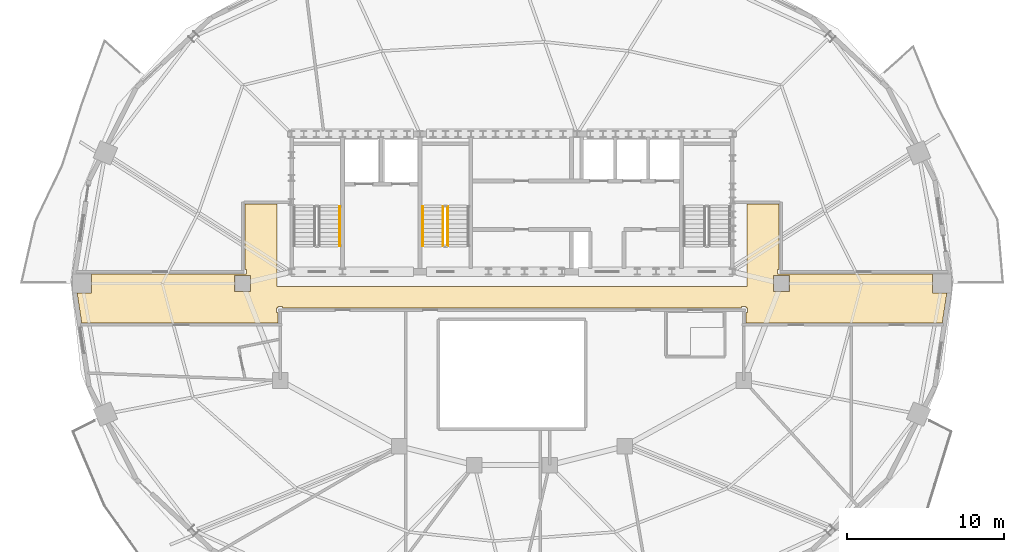
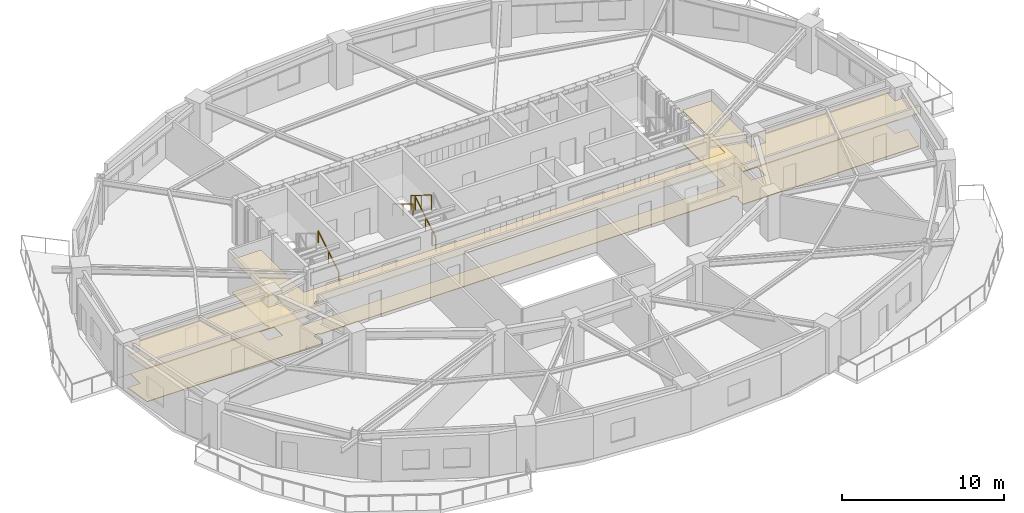
# One storey, part 9 of 11: 4 railings, 2 coverings.
"""IFC4 building model written with IfcOpenShell, lengths in metres."""

from ifc_helpers import new_model, si_unit, direction, frame, origin, origin_2d, place, context, subcontext, project, spatial, polyline, rectangle, outline, extrude, material, layer, layer_set, type_object, element, save


model = new_model("IFC4")

# Units and contexts
model_context = context("Model", 3, precision=1e-05, world=origin(), true_north=direction((0.0, 1.0)))
body_context = subcontext(model_context, "Body", "Model", "MODEL_VIEW")
ifc_project = project(units=[si_unit("LENGTHUNIT", "METRE"), si_unit("AREAUNIT", "SQUARE_METRE"), si_unit("VOLUMEUNIT", "CUBIC_METRE"), si_unit("PLANEANGLEUNIT", "RADIAN"), si_unit("MASSUNIT", "GRAM", prefix="KILO")], contexts=[model_context])

# Site, building, storey
site_placement = place(None, origin())
site = spatial("IfcSite", under=ifc_project, at=site_placement, CompositionType="ELEMENT")
building_placement = place(site_placement, origin())
building = spatial("IfcBuilding", under=site, at=building_placement, Name="Haldorwick Loom Tower", CompositionType="ELEMENT")
storey_placement = place(building_placement, frame((0.0, 0.0, 208.300048828125)))
storey = spatial("IfcBuildingStorey", under=building, at=storey_placement, Name="L56", CompositionType="ELEMENT", Elevation=208.300048828125)

# Coverings
ifc_material_1 = material(Name="Mineral Fibre Acoustic Ceiling Tile")
ifc_layer_1 = layer(ifc_material_1, 0.054931640625, Name="Mineral Fibre Acoustic Ceiling Tile")
ifc_layer_set_1 = layer_set([ifc_layer_1], Name="Mineral Fibre Acoustic Ceiling Tile")
covering_type_1 = type_object("IfcCoveringType", Name="ARC-COV-CEIL2", PredefinedType="CEILING", material=ifc_layer_set_1)
covering_1_placement = place(storey_placement, frame((0.0, 0.0, 2.458984375)))
element("IfcCovering", 1, at=covering_1_placement, inside=storey, type_object=covering_type_1, Name="L56 Acoustic Suspended Ceiling 1", PredefinedType="CEILING", context=body_context, shape_type="SweptSolid", body=[
    extrude(outline(polyline([(8.522216796875, 23.489990234375), (21.06005859375, 23.489990234375), (21.06005859375, 24.159912109375), (20.97998046875, 24.159912109375), (20.97802734375, 24.16015625), (20.97607421875, 24.160400390625), (20.97412109375, 24.160888671875), (20.972412109375, 24.16162109375), (20.970703125, 24.162353515625), (20.968994140625, 24.163330078125), (20.96728515625, 24.16455078125), (20.9658203125, 24.166015625), (20.964599609375, 24.167236328125), (20.96337890625, 24.1689453125), (20.96240234375, 24.170654296875), (20.96142578125, 24.17236328125), (20.9609375, 24.17431640625), (20.96044921875, 24.176025390625), (20.960205078125, 24.177978515625), (20.9599609375, 24.179931640625), (20.9599609375, 24.419921875), (20.960205078125, 24.422119140625), (20.96044921875, 24.423828125), (20.9609375, 24.42578125), (20.96142578125, 24.427734375), (20.96240234375, 24.429443359375), (20.96337890625, 24.43115234375), (20.964599609375, 24.4326171875), (20.9658203125, 24.43408203125), (20.96728515625, 24.435546875), (20.968994140625, 24.4365234375), (20.970703125, 24.4375), (20.972412109375, 24.4384765625), (20.97412109375, 24.439208984375), (20.97607421875, 24.439697265625), (20.97802734375, 24.43994140625), (20.97998046875, 24.43994140625), (21.06005859375, 24.43994140625), (21.06005859375, 24.52001953125), (21.06005859375, 24.52197265625), (21.060302734375, 24.52392578125), (21.060791015625, 24.52587890625), (21.0615234375, 24.527587890625), (21.0625, 24.529296875), (21.0634765625, 24.531005859375), (21.064453125, 24.53271484375), (21.06591796875, 24.5341796875), (21.0673828125, 24.535400390625), (21.06884765625, 24.53662109375), (21.070556640625, 24.53759765625), (21.072265625, 24.53857421875), (21.07421875, 24.5390625), (21.076171875, 24.53955078125), (21.077880859375, 24.539794921875), (21.080078125, 24.5400390625), (21.320068359375, 24.5400390625), (21.322021484375, 24.539794921875), (21.323974609375, 24.53955078125), (21.32568359375, 24.5390625), (21.32763671875, 24.53857421875), (21.329345703125, 24.53759765625), (21.3310546875, 24.53662109375), (21.332763671875, 24.535400390625), (21.333984375, 24.5341796875), (21.33544921875, 24.53271484375), (21.336669921875, 24.531005859375), (21.337646484375, 24.529296875), (21.33837890625, 24.527587890625), (21.339111328125, 24.52587890625), (21.339599609375, 24.52392578125), (21.33984375, 24.52197265625), (21.340087890625, 24.52001953125), (21.340087890625, 24.43994140625), (50.659912109375, 24.43994140625), (50.659912109375, 24.52001953125), (50.66015625, 24.52197265625), (50.660400390625, 24.52392578125), (50.660888671875, 24.52587890625), (50.66162109375, 24.527587890625), (50.662353515625, 24.529296875), (50.663330078125, 24.531005859375), (50.66455078125, 24.53271484375), (50.666015625, 24.5341796875), (50.667236328125, 24.535400390625), (50.6689453125, 24.53662109375), (50.670654296875, 24.53759765625), (50.67236328125, 24.53857421875), (50.67431640625, 24.5390625), (50.676025390625, 24.53955078125), (50.677978515625, 24.539794921875), (50.679931640625, 24.5400390625), (50.919921875, 24.5400390625), (50.922119140625, 24.539794921875), (50.923828125, 24.53955078125), (50.92578125, 24.5390625), (50.927734375, 24.53857421875), (50.929443359375, 24.53759765625), (50.93115234375, 24.53662109375), (50.9326171875, 24.535400390625), (50.93408203125, 24.5341796875), (50.935546875, 24.53271484375), (50.9365234375, 24.531005859375), (50.9375, 24.529296875), (50.9384765625, 24.527587890625), (50.939208984375, 24.52587890625), (50.939697265625, 24.52392578125), (50.93994140625, 24.52197265625), (50.93994140625, 24.52001953125), (50.93994140625, 24.43994140625), (51.02001953125, 24.43994140625), (51.02197265625, 24.43994140625), (51.02392578125, 24.439697265625), (51.02587890625, 24.439208984375), (51.027587890625, 24.4384765625), (51.029296875, 24.4375), (51.031005859375, 24.4365234375), (51.03271484375, 24.435546875), (51.0341796875, 24.43408203125), (51.035400390625, 24.4326171875), (51.03662109375, 24.43115234375), (51.03759765625, 24.429443359375), (51.03857421875, 24.427734375), (51.0390625, 24.42578125), (51.03955078125, 24.423828125), (51.039794921875, 24.422119140625), (51.0400390625, 24.419921875), (51.0400390625, 24.179931640625), (51.039794921875, 24.177978515625), (51.03955078125, 24.176025390625), (51.0390625, 24.17431640625), (51.03857421875, 24.17236328125), (51.03759765625, 24.170654296875), (51.03662109375, 24.1689453125), (51.035400390625, 24.167236328125), (51.0341796875, 24.166015625), (51.03271484375, 24.16455078125), (51.031005859375, 24.163330078125), (51.029296875, 24.162353515625), (51.027587890625, 24.16162109375), (51.02587890625, 24.160888671875), (51.02392578125, 24.160400390625), (51.02197265625, 24.16015625), (51.02001953125, 24.159912109375), (50.93994140625, 24.159912109375), (50.93994140625, 23.489990234375), (63.477783203125, 23.489990234375), (63.76708984375, 25.39208984375), (62.8583984375, 25.39208984375), (62.8583984375, 26.60791015625), (63.76708984375, 26.60791015625), (63.766845703125, 26.610107421875), (52.97998046875, 26.610107421875), (52.97802734375, 26.610107421875), (52.97607421875, 26.6103515625), (52.97412109375, 26.61083984375), (52.972412109375, 26.611572265625), (52.970703125, 26.6123046875), (52.968994140625, 26.61328125), (52.96728515625, 26.614501953125), (52.9658203125, 26.615966796875), (52.964599609375, 26.6171875), (52.96337890625, 26.618896484375), (52.96240234375, 26.62060546875), (52.96142578125, 26.622314453125), (52.9609375, 26.624267578125), (52.96044921875, 26.626220703125), (52.960205078125, 26.6279296875), (52.9599609375, 26.6298828125), (52.9599609375, 26.8701171875), (52.960205078125, 26.8720703125), (52.96044921875, 26.873779296875), (52.9609375, 26.875732421875), (52.96142578125, 26.877685546875), (52.96240234375, 26.87939453125), (52.96337890625, 26.881103515625), (52.964599609375, 26.8828125), (52.9658203125, 26.884033203125), (52.96728515625, 26.885498046875), (52.968994140625, 26.88671875), (52.970703125, 26.8876953125), (52.972412109375, 26.888427734375), (52.97412109375, 26.88916015625), (52.97607421875, 26.8896484375), (52.97802734375, 26.889892578125), (52.97998046875, 26.889892578125), (53.06005859375, 26.889892578125), (53.06005859375, 31.06005859375), (51.0, 31.06005859375), (51.0, 25.800048828125), (21.0, 25.800048828125), (21.0, 31.06005859375), (18.93994140625, 31.06005859375), (18.93994140625, 26.889892578125), (19.02001953125, 26.889892578125), (19.02197265625, 26.889892578125), (19.02392578125, 26.8896484375), (19.02587890625, 26.88916015625), (19.027587890625, 26.888427734375), (19.029296875, 26.8876953125), (19.031005859375, 26.88671875), (19.03271484375, 26.885498046875), (19.0341796875, 26.884033203125), (19.035400390625, 26.8828125), (19.03662109375, 26.881103515625), (19.03759765625, 26.87939453125), (19.03857421875, 26.877685546875), (19.0390625, 26.875732421875), (19.03955078125, 26.873779296875), (19.039794921875, 26.8720703125), (19.0400390625, 26.8701171875), (19.0400390625, 26.6298828125), (19.039794921875, 26.6279296875), (19.03955078125, 26.626220703125), (19.0390625, 26.624267578125), (19.03857421875, 26.622314453125), (19.03759765625, 26.62060546875), (19.03662109375, 26.618896484375), (19.035400390625, 26.6171875), (19.0341796875, 26.615966796875), (19.03271484375, 26.614501953125), (19.031005859375, 26.61328125), (19.029296875, 26.6123046875), (19.027587890625, 26.611572265625), (19.02587890625, 26.61083984375), (19.02392578125, 26.6103515625), (19.02197265625, 26.610107421875), (19.02001953125, 26.610107421875), (8.233154296875, 26.610107421875), (8.23291015625, 26.60791015625), (9.1416015625, 26.60791015625), (9.1416015625, 25.39208984375), (8.23291015625, 25.39208984375), (8.522216796875, 23.489990234375)]), holes=[polyline([(19.30810546875, 26.508056640625), (19.30810546875, 25.491943359375), (18.2919921875, 25.491943359375), (18.2919921875, 26.508056640625), (19.30810546875, 26.508056640625)]), polyline([(53.7080078125, 26.508056640625), (53.7080078125, 25.491943359375), (52.69189453125, 25.491943359375), (52.69189453125, 26.508056640625), (53.7080078125, 26.508056640625)])]), origin(), (0.0, 0.0, 1.0), 0.054931640625),
])
ifc_material_2 = material(Name="Polished Aggregate Terrazzo Finish")
ifc_layer_2 = layer(ifc_material_2, 0.044921875, Name="Polished Aggregate Terrazzo Finish")
ifc_layer_set_2 = layer_set([ifc_layer_2], Name="Polished Aggregate Terrazzo Finish")
covering_type_2 = type_object("IfcCoveringType", Name="ARC-COV-FLOOR2", PredefinedType="FLOORING", material=ifc_layer_set_2)
covering_2_placement = place(storey_placement, origin())
element("IfcCovering", 2, at=covering_2_placement, inside=storey, type_object=covering_type_2, Name="L56 Floor Finish 1", PredefinedType="FLOORING", context=body_context, shape_type="SweptSolid", body=[
    extrude(outline(polyline([(8.522216796875, 23.489990234375), (21.06005859375, 23.489990234375), (21.06005859375, 24.159912109375), (20.97998046875, 24.159912109375), (20.97802734375, 24.16015625), (20.97607421875, 24.160400390625), (20.97412109375, 24.160888671875), (20.972412109375, 24.16162109375), (20.970703125, 24.162353515625), (20.968994140625, 24.163330078125), (20.96728515625, 24.16455078125), (20.9658203125, 24.166015625), (20.964599609375, 24.167236328125), (20.96337890625, 24.1689453125), (20.96240234375, 24.170654296875), (20.96142578125, 24.17236328125), (20.9609375, 24.17431640625), (20.96044921875, 24.176025390625), (20.960205078125, 24.177978515625), (20.9599609375, 24.179931640625), (20.9599609375, 24.419921875), (20.960205078125, 24.422119140625), (20.96044921875, 24.423828125), (20.9609375, 24.42578125), (20.96142578125, 24.427734375), (20.96240234375, 24.429443359375), (20.96337890625, 24.43115234375), (20.964599609375, 24.4326171875), (20.9658203125, 24.43408203125), (20.96728515625, 24.435546875), (20.968994140625, 24.4365234375), (20.970703125, 24.4375), (20.972412109375, 24.4384765625), (20.97412109375, 24.439208984375), (20.97607421875, 24.439697265625), (20.97802734375, 24.43994140625), (20.97998046875, 24.43994140625), (21.06005859375, 24.43994140625), (21.06005859375, 24.52001953125), (21.06005859375, 24.52197265625), (21.060302734375, 24.52392578125), (21.060791015625, 24.52587890625), (21.0615234375, 24.527587890625), (21.0625, 24.529296875), (21.0634765625, 24.531005859375), (21.064453125, 24.53271484375), (21.06591796875, 24.5341796875), (21.0673828125, 24.535400390625), (21.06884765625, 24.53662109375), (21.070556640625, 24.53759765625), (21.072265625, 24.53857421875), (21.07421875, 24.5390625), (21.076171875, 24.53955078125), (21.077880859375, 24.539794921875), (21.080078125, 24.5400390625), (21.320068359375, 24.5400390625), (21.322021484375, 24.539794921875), (21.323974609375, 24.53955078125), (21.32568359375, 24.5390625), (21.32763671875, 24.53857421875), (21.329345703125, 24.53759765625), (21.3310546875, 24.53662109375), (21.332763671875, 24.535400390625), (21.333984375, 24.5341796875), (21.33544921875, 24.53271484375), (21.336669921875, 24.531005859375), (21.337646484375, 24.529296875), (21.33837890625, 24.527587890625), (21.339111328125, 24.52587890625), (21.339599609375, 24.52392578125), (21.33984375, 24.52197265625), (21.340087890625, 24.52001953125), (21.340087890625, 24.43994140625), (50.659912109375, 24.43994140625), (50.659912109375, 24.52001953125), (50.66015625, 24.52197265625), (50.660400390625, 24.52392578125), (50.660888671875, 24.52587890625), (50.66162109375, 24.527587890625), (50.662353515625, 24.529296875), (50.663330078125, 24.531005859375), (50.66455078125, 24.53271484375), (50.666015625, 24.5341796875), (50.667236328125, 24.535400390625), (50.6689453125, 24.53662109375), (50.670654296875, 24.53759765625), (50.67236328125, 24.53857421875), (50.67431640625, 24.5390625), (50.676025390625, 24.53955078125), (50.677978515625, 24.539794921875), (50.679931640625, 24.5400390625), (50.919921875, 24.5400390625), (50.922119140625, 24.539794921875), (50.923828125, 24.53955078125), (50.92578125, 24.5390625), (50.927734375, 24.53857421875), (50.929443359375, 24.53759765625), (50.93115234375, 24.53662109375), (50.9326171875, 24.535400390625), (50.93408203125, 24.5341796875), (50.935546875, 24.53271484375), (50.9365234375, 24.531005859375), (50.9375, 24.529296875), (50.9384765625, 24.527587890625), (50.939208984375, 24.52587890625), (50.939697265625, 24.52392578125), (50.93994140625, 24.52197265625), (50.93994140625, 24.52001953125), (50.93994140625, 24.43994140625), (51.02001953125, 24.43994140625), (51.02197265625, 24.43994140625), (51.02392578125, 24.439697265625), (51.02587890625, 24.439208984375), (51.027587890625, 24.4384765625), (51.029296875, 24.4375), (51.031005859375, 24.4365234375), (51.03271484375, 24.435546875), (51.0341796875, 24.43408203125), (51.035400390625, 24.4326171875), (51.03662109375, 24.43115234375), (51.03759765625, 24.429443359375), (51.03857421875, 24.427734375), (51.0390625, 24.42578125), (51.03955078125, 24.423828125), (51.039794921875, 24.422119140625), (51.0400390625, 24.419921875), (51.0400390625, 24.179931640625), (51.039794921875, 24.177978515625), (51.03955078125, 24.176025390625), (51.0390625, 24.17431640625), (51.03857421875, 24.17236328125), (51.03759765625, 24.170654296875), (51.03662109375, 24.1689453125), (51.035400390625, 24.167236328125), (51.0341796875, 24.166015625), (51.03271484375, 24.16455078125), (51.031005859375, 24.163330078125), (51.029296875, 24.162353515625), (51.027587890625, 24.16162109375), (51.02587890625, 24.160888671875), (51.02392578125, 24.160400390625), (51.02197265625, 24.16015625), (51.02001953125, 24.159912109375), (50.93994140625, 24.159912109375), (50.93994140625, 23.489990234375), (63.477783203125, 23.489990234375), (63.76708984375, 25.39208984375), (62.8583984375, 25.39208984375), (62.8583984375, 26.60791015625), (63.76708984375, 26.60791015625), (63.766845703125, 26.610107421875), (52.97998046875, 26.610107421875), (52.97802734375, 26.610107421875), (52.97607421875, 26.6103515625), (52.97412109375, 26.61083984375), (52.972412109375, 26.611572265625), (52.970703125, 26.6123046875), (52.968994140625, 26.61328125), (52.96728515625, 26.614501953125), (52.9658203125, 26.615966796875), (52.964599609375, 26.6171875), (52.96337890625, 26.618896484375), (52.96240234375, 26.62060546875), (52.96142578125, 26.622314453125), (52.9609375, 26.624267578125), (52.96044921875, 26.626220703125), (52.960205078125, 26.6279296875), (52.9599609375, 26.6298828125), (52.9599609375, 26.8701171875), (52.960205078125, 26.8720703125), (52.96044921875, 26.873779296875), (52.9609375, 26.875732421875), (52.96142578125, 26.877685546875), (52.96240234375, 26.87939453125), (52.96337890625, 26.881103515625), (52.964599609375, 26.8828125), (52.9658203125, 26.884033203125), (52.96728515625, 26.885498046875), (52.968994140625, 26.88671875), (52.970703125, 26.8876953125), (52.972412109375, 26.888427734375), (52.97412109375, 26.88916015625), (52.97607421875, 26.8896484375), (52.97802734375, 26.889892578125), (52.97998046875, 26.889892578125), (53.06005859375, 26.889892578125), (53.06005859375, 31.06005859375), (51.0, 31.06005859375), (51.0, 25.800048828125), (21.0, 25.800048828125), (21.0, 31.06005859375), (18.93994140625, 31.06005859375), (18.93994140625, 26.889892578125), (19.02001953125, 26.889892578125), (19.02197265625, 26.889892578125), (19.02392578125, 26.8896484375), (19.02587890625, 26.88916015625), (19.027587890625, 26.888427734375), (19.029296875, 26.8876953125), (19.031005859375, 26.88671875), (19.03271484375, 26.885498046875), (19.0341796875, 26.884033203125), (19.035400390625, 26.8828125), (19.03662109375, 26.881103515625), (19.03759765625, 26.87939453125), (19.03857421875, 26.877685546875), (19.0390625, 26.875732421875), (19.03955078125, 26.873779296875), (19.039794921875, 26.8720703125), (19.0400390625, 26.8701171875), (19.0400390625, 26.6298828125), (19.039794921875, 26.6279296875), (19.03955078125, 26.626220703125), (19.0390625, 26.624267578125), (19.03857421875, 26.622314453125), (19.03759765625, 26.62060546875), (19.03662109375, 26.618896484375), (19.035400390625, 26.6171875), (19.0341796875, 26.615966796875), (19.03271484375, 26.614501953125), (19.031005859375, 26.61328125), (19.029296875, 26.6123046875), (19.027587890625, 26.611572265625), (19.02587890625, 26.61083984375), (19.02392578125, 26.6103515625), (19.02197265625, 26.610107421875), (19.02001953125, 26.610107421875), (8.233154296875, 26.610107421875), (8.23291015625, 26.60791015625), (9.1416015625, 26.60791015625), (9.1416015625, 25.39208984375), (8.23291015625, 25.39208984375), (8.522216796875, 23.489990234375)]), holes=[polyline([(19.30810546875, 26.508056640625), (19.30810546875, 25.491943359375), (18.2919921875, 25.491943359375), (18.2919921875, 26.508056640625), (19.30810546875, 26.508056640625)]), polyline([(53.7080078125, 26.508056640625), (53.7080078125, 25.491943359375), (52.69189453125, 25.491943359375), (52.69189453125, 26.508056640625), (53.7080078125, 26.508056640625)])]), origin(), (0.0, 0.0, 1.0), 0.044921875),
])

# Railings
ifc_material_3 = material(Name="Steel CSA G40.21 350W", Category="steel")
railing_type_1 = type_object("IfcRailingType", Name="ARC-RLG-GUARD112", PredefinedType="GUARDRAIL", material=ifc_material_3)
railing_1_placement = place(storey_placement, frame((31.89990234375, 28.39990234375, 0.17236328125)))
element("IfcRailing", 3, at=railing_1_placement, inside=storey, type_object=railing_type_1, Name="L56 ST-03 stair guard 1", PredefinedType="GUARDRAIL", context=body_context, shape_type="SweptSolid", body=[
    extrude(rectangle(XDim=0.048095703125, YDim=0.048095703125, at=origin_2d()), frame((0.0, 0.0, 1.076171875), z_axis=(0.0, 0.851400495292, 0.524516154772), x_axis=(-1.0, 0.0, 0.0)), (0.0, 0.0, 1.0), 2.9599609375),
    extrude(rectangle(XDim=0.0419921875, YDim=0.0419921875, at=origin_2d()), origin(), (0.0, 0.0, 1.0), 1.052001953125),
    extrude(rectangle(XDim=0.0419921875, YDim=0.0419921875, at=origin_2d()), frame((0.0, 1.260009765625, 0.7763671875)), (0.0, 0.0, 1.0), 1.052001953125),
    extrude(rectangle(XDim=0.0419921875, YDim=0.0419921875, at=origin_2d()), frame((0.0, 2.52001953125, 1.552490234375)), (0.0, 0.0, 1.0), 1.052001953125),
])
railing_2_placement = place(storey_placement, frame((31.60009765625, 30.919921875, 1.8974609375)))
element("IfcRailing", 4, at=railing_2_placement, inside=storey, type_object=railing_type_1, Name="L56 ST-03 stair guard 3", PredefinedType="GUARDRAIL", context=body_context, shape_type="SweptSolid", body=[
    extrude(rectangle(XDim=0.048095703125, YDim=0.048095703125, at=origin_2d()), frame((0.0, 0.0, 1.076171875), z_axis=(0.0, -0.851400495292, 0.524516154772), x_axis=(1.0, 0.0, 0.0)), (0.0, 0.0, 1.0), 2.9599609375),
    extrude(rectangle(XDim=0.0419921875, YDim=0.0419921875, at=origin_2d()), origin(), (0.0, 0.0, 1.0), 1.052001953125),
    extrude(rectangle(XDim=0.0419921875, YDim=0.0419921875, at=origin_2d()), frame((0.0, -1.260009765625, 0.7763671875)), (0.0, 0.0, 1.0), 1.052001953125),
    extrude(rectangle(XDim=0.0419921875, YDim=0.0419921875, at=origin_2d()), frame((0.0, -2.52001953125, 1.552490234375)), (0.0, 0.0, 1.0), 1.052001953125),
])
railing_type_2 = type_object("IfcRailingType", Name="ARC-RLG-HAND092", PredefinedType="HANDRAIL", material=ifc_material_3)
railing_3_placement = place(storey_placement, frame((25.0, 28.39990234375, 0.17236328125)))
element("IfcRailing", 5, at=railing_3_placement, inside=storey, type_object=railing_type_2, Name="L56 ST-01 stair handrail 1", PredefinedType="HANDRAIL", context=body_context, shape_type="SweptSolid", body=[
    extrude(rectangle(XDim=0.048095703125, YDim=0.048095703125, at=origin_2d()), frame((0.0, 0.0, 0.8759765625), z_axis=(0.0, 0.851400495292, 0.524516154772), x_axis=(-1.0, 0.0, 0.0)), (0.0, 0.0, 1.0), 2.9599609375),
    extrude(rectangle(XDim=0.0419921875, YDim=0.0419921875, at=origin_2d()), origin(), (0.0, 0.0, 1.0), 0.851806640625),
    extrude(rectangle(XDim=0.0419921875, YDim=0.0419921875, at=origin_2d()), frame((0.0, 1.260009765625, 0.7763671875)), (0.0, 0.0, 1.0), 0.851806640625),
    extrude(rectangle(XDim=0.0419921875, YDim=0.0419921875, at=origin_2d()), frame((0.0, 2.52001953125, 1.552490234375)), (0.0, 0.0, 1.0), 0.851806640625),
])
railing_4_placement = place(storey_placement, frame((30.300048828125, 30.919921875, 1.8974609375)))
element("IfcRailing", 6, at=railing_4_placement, inside=storey, type_object=railing_type_2, Name="L56 ST-03 stair handrail 2", PredefinedType="HANDRAIL", context=body_context, shape_type="SweptSolid", body=[
    extrude(rectangle(XDim=0.048095703125, YDim=0.048095703125, at=origin_2d()), frame((0.0, 0.0, 0.8759765625), z_axis=(0.0, -0.851400495292, 0.524516154772), x_axis=(1.0, 0.0, 0.0)), (0.0, 0.0, 1.0), 2.9599609375),
    extrude(rectangle(XDim=0.0419921875, YDim=0.0419921875, at=origin_2d()), origin(), (0.0, 0.0, 1.0), 0.851806640625),
    extrude(rectangle(XDim=0.0419921875, YDim=0.0419921875, at=origin_2d()), frame((0.0, -1.260009765625, 0.7763671875)), (0.0, 0.0, 1.0), 0.851806640625),
    extrude(rectangle(XDim=0.0419921875, YDim=0.0419921875, at=origin_2d()), frame((0.0, -2.52001953125, 1.552490234375)), (0.0, 0.0, 1.0), 0.851806640625),
])

save(model, "model.ifc")
